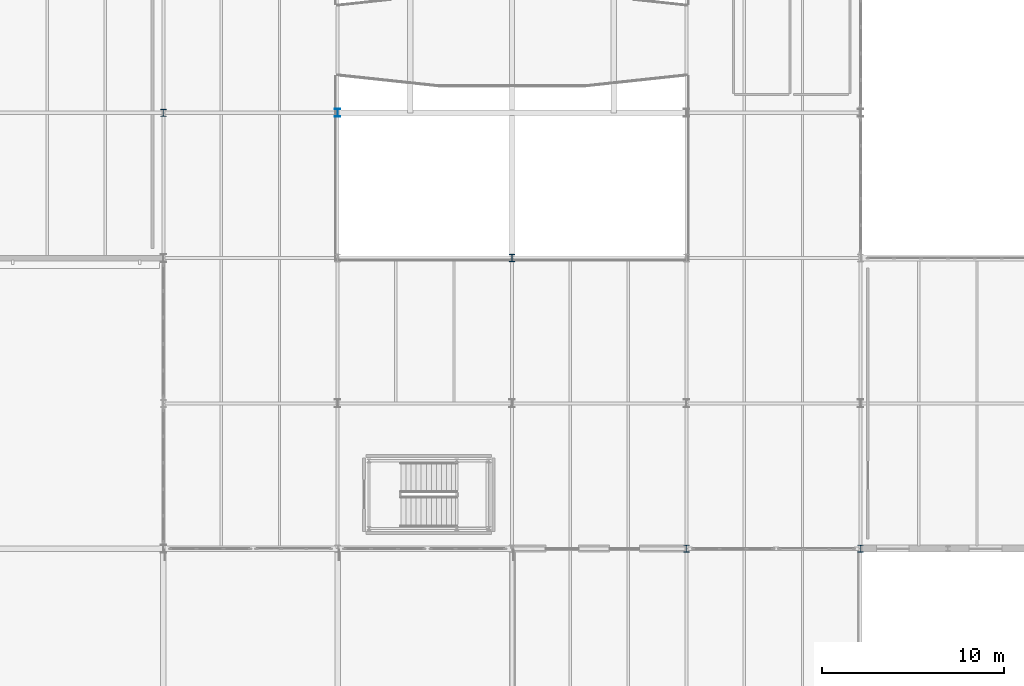
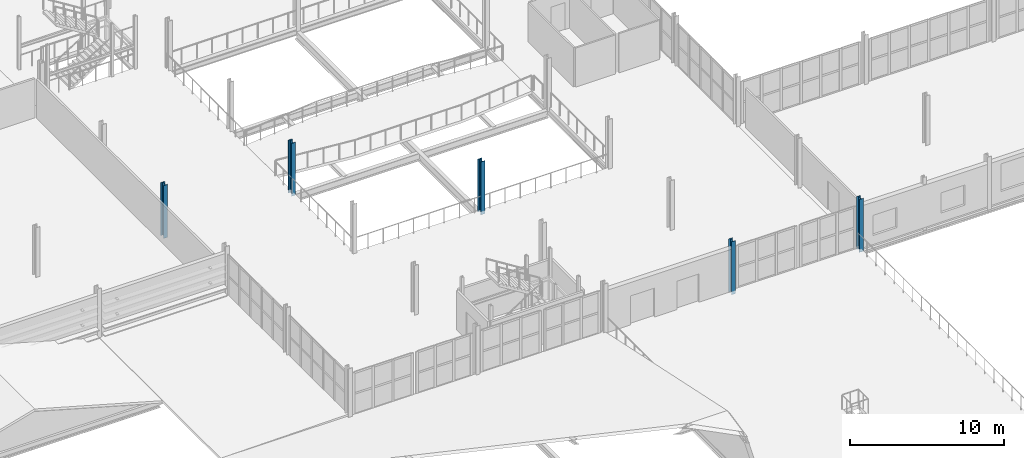
# One storey, part 4 of 85: 5 columns.
"""IFC4 building model written with IfcOpenShell, lengths in metres."""

from ifc_helpers import new_model, si_unit, direction, frame, origin, origin_2d, place, context, subcontext, project, spatial, i_section, extrude, material, material_profile, profile_set, type_object, element, save


model = new_model("IFC4")

# Units and contexts
model_context = context("Model", 3, precision=1e-05, world=origin(), true_north=direction((0.0, 1.0)))
body_context = subcontext(model_context, "Body", "Model", "MODEL_VIEW")
ifc_project = project(units=[si_unit("LENGTHUNIT", "METRE"), si_unit("AREAUNIT", "SQUARE_METRE"), si_unit("VOLUMEUNIT", "CUBIC_METRE"), si_unit("PLANEANGLEUNIT", "RADIAN"), si_unit("MASSUNIT", "GRAM", prefix="KILO")], contexts=[model_context])

# Site, building, storey
site_placement = place(None, origin())
site = spatial("IfcSite", under=ifc_project, at=site_placement, CompositionType="ELEMENT")
building_placement = place(site_placement, origin())
building = spatial("IfcBuilding", under=site, at=building_placement, Name="Alderhovde Museum", CompositionType="ELEMENT")
storey_placement = place(building_placement, frame((0.0, 0.0, 8.699951171875)))
storey = spatial("IfcBuildingStorey", under=building, at=storey_placement, Name="L02", CompositionType="ELEMENT", Elevation=8.699951171875)

# Columns
ifc_material_1 = material(Name="Steel S355J2", Category="steel")
ifc_material_profile_1 = material_profile(ifc_material_1, i_section(OverallWidth=0.300048828125, OverallDepth=0.39990234375, WebThickness=0.013427734375, FlangeThickness=0.02392578125, FilletRadius=0.027099609375, at=origin_2d()), Name="HEB 400")
ifc_profile_set_1 = profile_set([ifc_material_profile_1], Name="Steel S355J2")
column_type_1 = type_object("IfcColumnType", Name="COL-HEB400", PredefinedType="COLUMN", material=ifc_profile_set_1)
for number, where, z_axis, x_axis, name in (
    (1, (76.800048828125, 56.0, -0.260009765625), (0.0, 0.0, 1.0), (1.0, 0.0, 0.0), "L02 Column (76.8, 56.0)"),
    (2, (96.0, 48.0, -0.260009765625), (0.0, 0.0, 1.0), (1.0, 0.0, 0.0), "L02 Column (96.0, 48.0)"),
    (3, (105.60009765625, 32.0, -0.260009765625), (0.0, 0.0, 1.0), (1.0, 0.0, 0.0), "L02 Column (105.6, 32.0)"),
    (4, (115.199951171875, 32.0, -0.260009765625), (0.0, 0.0, 1.0), (1.0, 0.0, 0.0), "L02 Column (115.2, 32.0)"),
):
    element("IfcColumn", number, at=place(storey_placement, frame(where, z_axis=z_axis, x_axis=x_axis)), inside=storey, type_object=column_type_1, Name=name, PredefinedType="COLUMN", context=body_context, shape_type="SweptSolid", body=[
        extrude(i_section(OverallWidth=0.300048828125, OverallDepth=0.39990234375, WebThickness=0.013427734375, FlangeThickness=0.02392578125, FilletRadius=0.027099609375, at=origin_2d()), origin(), (0.0, 0.0, 1.0), 4.199951171875),
    ])
ifc_material_2 = material(Name="Steel S355J2", Category="steel")
ifc_material_profile_2 = material_profile(ifc_material_2, i_section(OverallWidth=0.300048828125, OverallDepth=0.449951171875, WebThickness=0.013916015625, FlangeThickness=0.02587890625, FilletRadius=0.027099609375, at=origin_2d()), Name="HEB 450")
ifc_profile_set_2 = profile_set([ifc_material_profile_2], Name="Steel S355J2")
column_type_2 = type_object("IfcColumnType", Name="COL-HEB450", PredefinedType="COLUMN", material=ifc_profile_set_2)
column_placement = place(storey_placement, frame((86.39990234375, 56.0, -0.260009765625), z_axis=(0.0, 0.0, 1.0), x_axis=(1.0, 0.0, 0.0)))
element("IfcColumn", 5, at=column_placement, inside=storey, type_object=column_type_2, Name="L02 Column (86.4, 56.0)", PredefinedType="COLUMN", context=body_context, shape_type="SweptSolid", body=[
    extrude(i_section(OverallWidth=0.300048828125, OverallDepth=0.449951171875, WebThickness=0.013916015625, FlangeThickness=0.02587890625, FilletRadius=0.027099609375, at=origin_2d()), origin(), (0.0, 0.0, 1.0), 4.199951171875),
])

save(model, "model.ifc")
